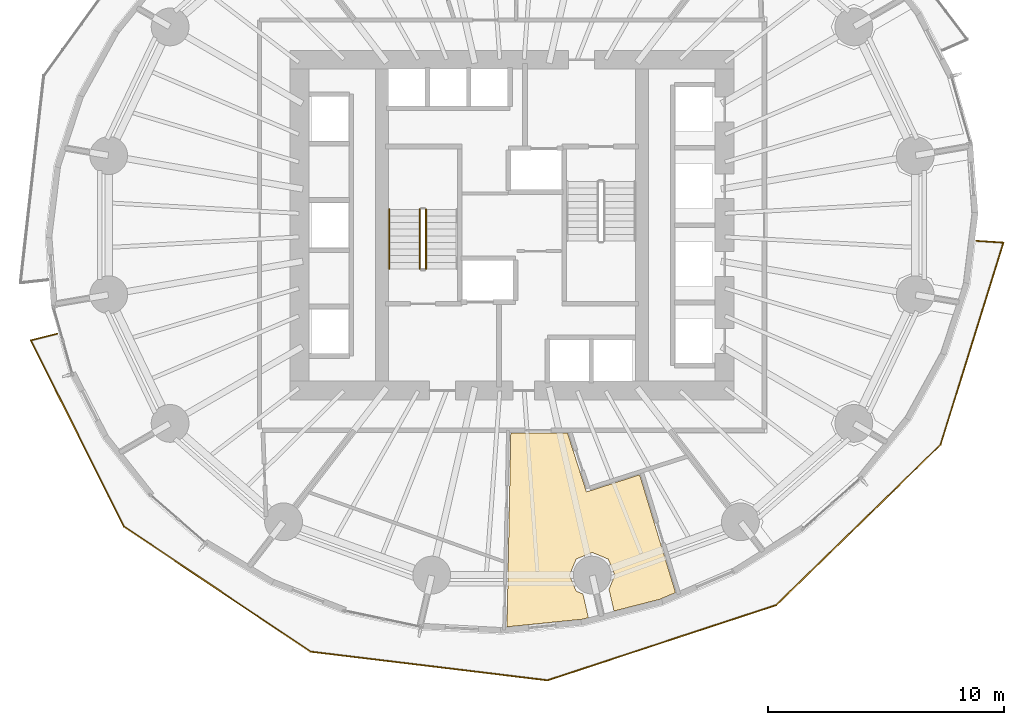
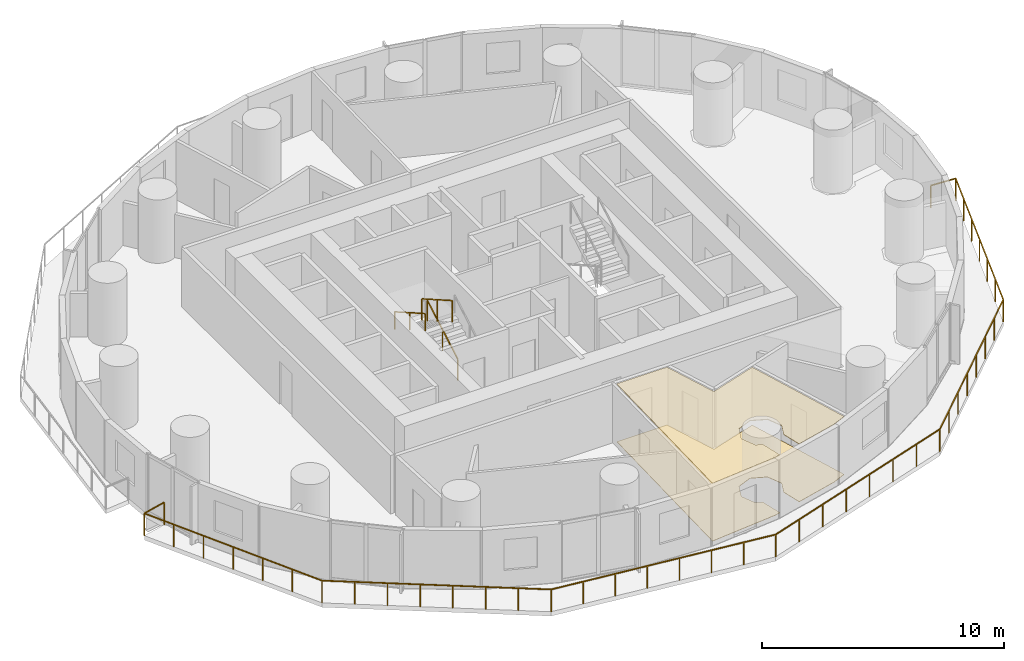
# One storey, part 11 of 13: 4 railings, 2 coverings.
"""IFC4 building model written with IfcOpenShell, lengths in metres."""

from ifc_helpers import new_model, si_unit, direction, frame, origin, origin_2d, place, context, subcontext, project, spatial, polyline, rectangle, outline, extrude, material, layer, layer_set, type_object, element, save


model = new_model("IFC4")

# Units and contexts
model_context = context("Model", 3, precision=1e-05, world=origin(), true_north=direction((0.0, 1.0)))
body_context = subcontext(model_context, "Body", "Model", "MODEL_VIEW")
ifc_project = project(units=[si_unit("LENGTHUNIT", "METRE"), si_unit("AREAUNIT", "SQUARE_METRE"), si_unit("VOLUMEUNIT", "CUBIC_METRE"), si_unit("PLANEANGLEUNIT", "RADIAN"), si_unit("MASSUNIT", "GRAM", prefix="KILO")], contexts=[model_context])

# Site, building, storey
site_placement = place(None, origin())
site = spatial("IfcSite", under=ifc_project, at=site_placement, CompositionType="ELEMENT")
building_placement = place(site_placement, origin())
building = spatial("IfcBuilding", under=site, at=building_placement, Name="Veldorim Arch Residences", CompositionType="ELEMENT")
storey_placement = place(building_placement, frame((0.0, 0.0, 44.0)))
storey = spatial("IfcBuildingStorey", under=building, at=storey_placement, Name="L12", CompositionType="ELEMENT", Elevation=44.0)

# Railings
ifc_material_1 = material(Name="Aluminium", Category="aluminium")
railing_type_1 = type_object("IfcRailingType", Name="Balcony & Terrace Laminated Glass Balustrade 1150", PredefinedType="BALUSTRADE", material=ifc_material_1)
railing_1_placement = place(storey_placement, frame((12.75244140625, 19.40283203125, 0.0)))
element("IfcRailing", 1, at=railing_1_placement, inside=storey, type_object=railing_type_1, Name="L12 crescent balcony safety balustrade B", PredefinedType="BALUSTRADE", context=body_context, shape_type="SweptSolid", body=[
    extrude(rectangle(XDim=0.048095703125, YDim=0.048095703125, at=origin_2d()), frame((0.0, 0.0, 1.1259765625), z_axis=(-0.970590389113, -0.240736986276, 0.0), x_axis=(0.240736986276, -0.970590389113, 0.0)), (0.0, 0.0, 1.0), 1.150146484375),
    extrude(rectangle(XDim=0.048095703125, YDim=0.048095703125, at=origin_2d()), frame((-1.1162109375, -0.27685546875, 1.1259765625), z_axis=(0.447446279024, -0.8943108114, 0.0), x_axis=(0.8943108114, 0.447446279024, 0.0)), (0.0, 0.0, 1.0), 8.81298828125),
    extrude(rectangle(XDim=0.048095703125, YDim=0.048095703125, at=origin_2d()), frame((2.8271484375, -8.158447265625, 1.1259765625), z_axis=(0.830513368113, -0.556998694241, 0.0), x_axis=(0.556998694241, 0.830513368113, 0.0)), (0.0, 0.0, 1.0), 9.501708984375),
    extrude(rectangle(XDim=0.048095703125, YDim=0.048095703125, at=origin_2d()), frame((10.718505859375, -13.450927734375, 1.1259765625), z_axis=(0.992755717696, -0.120150260017, 0.0), x_axis=(0.120150260017, 0.992755717696, 0.0)), (0.0, 0.0, 1.0), 10.10498046875),
    extrude(rectangle(XDim=0.048095703125, YDim=0.048095703125, at=origin_2d()), frame((20.750244140625, -14.6650390625, 1.1259765625), z_axis=(0.949913820233, 0.31251197438, 0.0), x_axis=(-0.31251197438, 0.949913820233, 0.0)), (0.0, 0.0, 1.0), 10.197265625),
    extrude(rectangle(XDim=0.048095703125, YDim=0.048095703125, at=origin_2d()), frame((30.436767578125, -11.478271484375, 1.1259765625), z_axis=(0.715419152021, 0.69869552519, 0.0), x_axis=(-0.69869552519, 0.715419152021, 0.0)), (0.0, 0.0, 1.0), 9.7080078125),
    extrude(rectangle(XDim=0.048095703125, YDim=0.048095703125, at=origin_2d()), frame((37.382080078125, -4.6953125, 1.1259765625), z_axis=(0.297329905313, 0.954774804552, 0.0), x_axis=(-0.954774804552, 0.297329905313, 0.0)), (0.0, 0.0, 1.0), 8.959228515625),
    extrude(rectangle(XDim=0.048095703125, YDim=0.048095703125, at=origin_2d()), frame((40.0458984375, 3.858642578125, 1.1259765625), z_axis=(-0.997929266712, 0.064320903598, 0.0), x_axis=(-0.064320903598, -0.997929266712, 0.0)), (0.0, 0.0, 1.0), 1.150146484375),
    extrude(rectangle(XDim=0.0419921875, YDim=0.0419921875, at=origin_2d()), origin(), (0.0, 0.0, 1.0), 1.101806640625),
    extrude(rectangle(XDim=0.0419921875, YDim=0.0419921875, at=origin_2d()), frame((-1.1162109375, -0.27685546875, 0.0)), (0.0, 0.0, 1.0), 1.101806640625),
    extrude(rectangle(XDim=0.0419921875, YDim=0.0419921875, at=origin_2d()), frame((-0.458984375, -1.59033203125, 0.0)), (0.0, 0.0, 1.0), 1.101806640625),
    extrude(rectangle(XDim=0.0419921875, YDim=0.0419921875, at=origin_2d()), frame((0.1982421875, -2.904052734375, 0.0)), (0.0, 0.0, 1.0), 1.101806640625),
    extrude(rectangle(XDim=0.0419921875, YDim=0.0419921875, at=origin_2d()), frame((0.85546875, -4.2177734375, 0.0)), (0.0, 0.0, 1.0), 1.101806640625),
    extrude(rectangle(XDim=0.0419921875, YDim=0.0419921875, at=origin_2d()), frame((1.5126953125, -5.53125, 0.0)), (0.0, 0.0, 1.0), 1.101806640625),
    extrude(rectangle(XDim=0.0419921875, YDim=0.0419921875, at=origin_2d()), frame((2.169921875, -6.8447265625, 0.0)), (0.0, 0.0, 1.0), 1.101806640625),
    extrude(rectangle(XDim=0.0419921875, YDim=0.0419921875, at=origin_2d()), frame((2.8271484375, -8.158447265625, 0.0)), (0.0, 0.0, 1.0), 1.101806640625),
    extrude(rectangle(XDim=0.0419921875, YDim=0.0419921875, at=origin_2d()), frame((3.95458984375, -8.91455078125, 0.0)), (0.0, 0.0, 1.0), 1.101806640625),
    extrude(rectangle(XDim=0.0419921875, YDim=0.0419921875, at=origin_2d()), frame((5.081787109375, -9.670654296875, 0.0)), (0.0, 0.0, 1.0), 1.101806640625),
    extrude(rectangle(XDim=0.0419921875, YDim=0.0419921875, at=origin_2d()), frame((6.209228515625, -10.4267578125, 0.0)), (0.0, 0.0, 1.0), 1.101806640625),
    extrude(rectangle(XDim=0.0419921875, YDim=0.0419921875, at=origin_2d()), frame((7.33642578125, -11.1826171875, 0.0)), (0.0, 0.0, 1.0), 1.101806640625),
    extrude(rectangle(XDim=0.0419921875, YDim=0.0419921875, at=origin_2d()), frame((8.4638671875, -11.938720703125, 0.0)), (0.0, 0.0, 1.0), 1.101806640625),
    extrude(rectangle(XDim=0.0419921875, YDim=0.0419921875, at=origin_2d()), frame((9.591064453125, -12.69482421875, 0.0)), (0.0, 0.0, 1.0), 1.101806640625),
    extrude(rectangle(XDim=0.0419921875, YDim=0.0419921875, at=origin_2d()), frame((10.718505859375, -13.450927734375, 0.0)), (0.0, 0.0, 1.0), 1.101806640625),
    extrude(rectangle(XDim=0.0419921875, YDim=0.0419921875, at=origin_2d()), frame((12.151611328125, -13.624267578125, 0.0)), (0.0, 0.0, 1.0), 1.101806640625),
    extrude(rectangle(XDim=0.0419921875, YDim=0.0419921875, at=origin_2d()), frame((13.584716796875, -13.7978515625, 0.0)), (0.0, 0.0, 1.0), 1.101806640625),
    extrude(rectangle(XDim=0.0419921875, YDim=0.0419921875, at=origin_2d()), frame((15.017822265625, -13.97119140625, 0.0)), (0.0, 0.0, 1.0), 1.101806640625),
    extrude(rectangle(XDim=0.0419921875, YDim=0.0419921875, at=origin_2d()), frame((16.450927734375, -14.144775390625, 0.0)), (0.0, 0.0, 1.0), 1.101806640625),
    extrude(rectangle(XDim=0.0419921875, YDim=0.0419921875, at=origin_2d()), frame((17.884033203125, -14.318115234375, 0.0)), (0.0, 0.0, 1.0), 1.101806640625),
    extrude(rectangle(XDim=0.0419921875, YDim=0.0419921875, at=origin_2d()), frame((19.317138671875, -14.49169921875, 0.0)), (0.0, 0.0, 1.0), 1.101806640625),
    extrude(rectangle(XDim=0.0419921875, YDim=0.0419921875, at=origin_2d()), frame((20.750244140625, -14.6650390625, 0.0)), (0.0, 0.0, 1.0), 1.101806640625),
    extrude(rectangle(XDim=0.0419921875, YDim=0.0419921875, at=origin_2d()), frame((22.134033203125, -14.209716796875, 0.0)), (0.0, 0.0, 1.0), 1.101806640625),
    extrude(rectangle(XDim=0.0419921875, YDim=0.0419921875, at=origin_2d()), frame((23.517822265625, -13.754638671875, 0.0)), (0.0, 0.0, 1.0), 1.101806640625),
    extrude(rectangle(XDim=0.0419921875, YDim=0.0419921875, at=origin_2d()), frame((24.901611328125, -13.29931640625, 0.0)), (0.0, 0.0, 1.0), 1.101806640625),
    extrude(rectangle(XDim=0.0419921875, YDim=0.0419921875, at=origin_2d()), frame((26.285400390625, -12.843994140625, 0.0)), (0.0, 0.0, 1.0), 1.101806640625),
    extrude(rectangle(XDim=0.0419921875, YDim=0.0419921875, at=origin_2d()), frame((27.669189453125, -12.388671875, 0.0)), (0.0, 0.0, 1.0), 1.101806640625),
    extrude(rectangle(XDim=0.0419921875, YDim=0.0419921875, at=origin_2d()), frame((29.052978515625, -11.93359375, 0.0)), (0.0, 0.0, 1.0), 1.101806640625),
    extrude(rectangle(XDim=0.0419921875, YDim=0.0419921875, at=origin_2d()), frame((30.436767578125, -11.478271484375, 0.0)), (0.0, 0.0, 1.0), 1.101806640625),
    extrude(rectangle(XDim=0.0419921875, YDim=0.0419921875, at=origin_2d()), frame((31.428955078125, -10.50927734375, 0.0)), (0.0, 0.0, 1.0), 1.101806640625),
    extrude(rectangle(XDim=0.0419921875, YDim=0.0419921875, at=origin_2d()), frame((32.421142578125, -9.540283203125, 0.0)), (0.0, 0.0, 1.0), 1.101806640625),
    extrude(rectangle(XDim=0.0419921875, YDim=0.0419921875, at=origin_2d()), frame((33.413330078125, -8.5712890625, 0.0)), (0.0, 0.0, 1.0), 1.101806640625),
    extrude(rectangle(XDim=0.0419921875, YDim=0.0419921875, at=origin_2d()), frame((34.405517578125, -7.602294921875, 0.0)), (0.0, 0.0, 1.0), 1.101806640625),
    extrude(rectangle(XDim=0.0419921875, YDim=0.0419921875, at=origin_2d()), frame((35.397705078125, -6.63330078125, 0.0)), (0.0, 0.0, 1.0), 1.101806640625),
    extrude(rectangle(XDim=0.0419921875, YDim=0.0419921875, at=origin_2d()), frame((36.389892578125, -5.664306640625, 0.0)), (0.0, 0.0, 1.0), 1.101806640625),
    extrude(rectangle(XDim=0.0419921875, YDim=0.0419921875, at=origin_2d()), frame((37.382080078125, -4.6953125, 0.0)), (0.0, 0.0, 1.0), 1.101806640625),
    extrude(rectangle(XDim=0.0419921875, YDim=0.0419921875, at=origin_2d()), frame((37.826171875, -3.26953125, 0.0)), (0.0, 0.0, 1.0), 1.101806640625),
    extrude(rectangle(XDim=0.0419921875, YDim=0.0419921875, at=origin_2d()), frame((38.27001953125, -1.843994140625, 0.0)), (0.0, 0.0, 1.0), 1.101806640625),
    extrude(rectangle(XDim=0.0419921875, YDim=0.0419921875, at=origin_2d()), frame((38.7138671875, -0.41845703125, 0.0)), (0.0, 0.0, 1.0), 1.101806640625),
    extrude(rectangle(XDim=0.0419921875, YDim=0.0419921875, at=origin_2d()), frame((39.157958984375, 1.00732421875, 0.0)), (0.0, 0.0, 1.0), 1.101806640625),
    extrude(rectangle(XDim=0.0419921875, YDim=0.0419921875, at=origin_2d()), frame((39.60205078125, 2.43310546875, 0.0)), (0.0, 0.0, 1.0), 1.101806640625),
    extrude(rectangle(XDim=0.0419921875, YDim=0.0419921875, at=origin_2d()), frame((40.0458984375, 3.858642578125, 0.0)), (0.0, 0.0, 1.0), 1.101806640625),
    extrude(rectangle(XDim=0.0419921875, YDim=0.0419921875, at=origin_2d()), frame((38.898193359375, 3.9326171875, 0.0)), (0.0, 0.0, 1.0), 1.101806640625),
])
ifc_material_2 = material(Name="Steel S355", Category="steel")
railing_type_2 = type_object("IfcRailingType", Name="Galvanised Steel Stair Safety Guardrail 1100", PredefinedType="GUARDRAIL", material=ifc_material_2)
railing_2_placement = place(storey_placement, frame((28.360107421875, 22.14990234375, 0.159912109375)))
element("IfcRailing", 2, at=railing_2_placement, inside=storey, type_object=railing_type_2, Name="L12 ST-1 stair guard 1", PredefinedType="GUARDRAIL", context=body_context, shape_type="SweptSolid", body=[
    extrude(rectangle(XDim=0.048095703125, YDim=0.048095703125, at=origin_2d()), frame((0.0, 0.0, 1.076171875), z_axis=(0.0, 0.868217259934, 0.496184229447), x_axis=(-1.0, 0.0, 0.0)), (0.0, 0.0, 1.0), 2.902587890625),
    extrude(rectangle(XDim=0.0419921875, YDim=0.0419921875, at=origin_2d()), origin(), (0.0, 0.0, 1.0), 1.052001953125),
    extrude(rectangle(XDim=0.0419921875, YDim=0.0419921875, at=origin_2d()), frame((0.0, 1.260009765625, 0.72021484375)), (0.0, 0.0, 1.0), 1.052001953125),
    extrude(rectangle(XDim=0.0419921875, YDim=0.0419921875, at=origin_2d()), frame((0.0, 2.52001953125, 1.440185546875)), (0.0, 0.0, 1.0), 1.052001953125),
])
railing_3_placement = place(storey_placement, frame((28.10009765625, 24.669921875, 1.760009765625)))
element("IfcRailing", 3, at=railing_3_placement, inside=storey, type_object=railing_type_2, Name="L12 ST-1 stair guard 3", PredefinedType="GUARDRAIL", context=body_context, shape_type="SweptSolid", body=[
    extrude(rectangle(XDim=0.048095703125, YDim=0.048095703125, at=origin_2d()), frame((0.0, 0.0, 1.076171875), z_axis=(0.0, -0.868253494771, 0.496120820787), x_axis=(1.0, 0.0, 0.0)), (0.0, 0.0, 1.0), 2.90234375),
    extrude(rectangle(XDim=0.0419921875, YDim=0.0419921875, at=origin_2d()), origin(), (0.0, 0.0, 1.0), 1.052001953125),
    extrude(rectangle(XDim=0.0419921875, YDim=0.0419921875, at=origin_2d()), frame((0.0, -1.260009765625, 0.719970703125)), (0.0, 0.0, 1.0), 1.052001953125),
    extrude(rectangle(XDim=0.0419921875, YDim=0.0419921875, at=origin_2d()), frame((0.0, -2.52001953125, 1.43994140625)), (0.0, 0.0, 1.0), 1.052001953125),
])

# Coverings
ifc_material_3 = material(Name="Acoustic Gypsum & Mineral Fibre", Category="gypsum")
ifc_layer_1 = layer(ifc_material_3, 0.034912109375, Name="Perforated Acoustic Mineral-Fibre Ceiling 35")
ifc_layer_set_1 = layer_set([ifc_layer_1], Name="Acoustic Gypsum & Mineral Fibre")
covering_type_1 = type_object("IfcCoveringType", Name="Perforated Acoustic Mineral-Fibre Ceiling 35", PredefinedType="CEILING", material=ifc_layer_set_1)
covering_1_placement = place(storey_placement, frame((0.0, 0.0, 2.905029296875)))
element("IfcCovering", 4, at=covering_1_placement, inside=storey, type_object=covering_type_1, Name="L12 acoustic suspended ceiling 01", PredefinedType="CEILING", context=body_context, shape_type="SweptSolid", body=[
    extrude(outline(polyline([(36.3544921875, 9.190185546875), (36.0732421875, 9.868896484375), (35.39453125, 10.14990234375), (34.7158203125, 9.868896484375), (34.434814453125, 9.190185546875), (34.7158203125, 8.511474609375), (35.0029296875, 8.392578125), (35.232421875, 7.39111328125), (34.96484375, 7.322265625), (31.789794921875, 7.00341796875), (31.948974609375, 15.199951171875), (34.348388671875, 15.199951171875), (35.15087890625, 12.708984375), (37.4013671875, 13.434326171875), (38.919189453125, 8.451171875), (38.265625, 8.17138671875), (36.3173828125, 7.670166015625), (36.1064453125, 8.59130859375), (36.3544921875, 9.190185546875)])), origin(), (0.0, 0.0, 1.0), 0.034912109375),
])
ifc_material_4 = material(Name="Porcelain Ceramic Tile", Category="ceramic")
ifc_layer_2 = layer(ifc_material_4, 0.02001953125, Name="Slip-Resistant Porcelain & Vinyl Floor Finish 20")
ifc_layer_set_2 = layer_set([ifc_layer_2], Name="Porcelain Ceramic Tile")
covering_type_2 = type_object("IfcCoveringType", Name="Slip-Resistant Porcelain & Vinyl Floor Finish 20", PredefinedType="FLOORING", material=ifc_layer_set_2)
covering_2_placement = place(storey_placement, origin())
element("IfcCovering", 5, at=covering_2_placement, inside=storey, type_object=covering_type_2, Name="L12 porcelain floor finish 01", PredefinedType="FLOORING", context=body_context, shape_type="SweptSolid", body=[
    extrude(outline(polyline([(36.3544921875, 9.190185546875), (36.0732421875, 9.868896484375), (35.39453125, 10.14990234375), (34.7158203125, 9.868896484375), (34.434814453125, 9.190185546875), (34.7158203125, 8.511474609375), (35.0029296875, 8.392578125), (35.232421875, 7.39111328125), (34.96484375, 7.322265625), (31.789794921875, 7.00341796875), (31.948974609375, 15.199951171875), (34.348388671875, 15.199951171875), (35.15087890625, 12.708984375), (37.4013671875, 13.434326171875), (38.919189453125, 8.451171875), (38.265625, 8.17138671875), (36.3173828125, 7.670166015625), (36.1064453125, 8.59130859375), (36.3544921875, 9.190185546875)])), origin(), (0.0, 0.0, 1.0), 0.02001953125),
])

# Railing
ifc_material_5 = material(Name="Stainless Steel", Category="steel")
railing_type_3 = type_object("IfcRailingType", Name="Tubular Steel Continuous Wall Handrail 900", PredefinedType="HANDRAIL", material=ifc_material_5)
railing_4_placement = place(storey_placement, frame((26.800048828125, 24.669921875, 1.760009765625)))
element("IfcRailing", 6, at=railing_4_placement, inside=storey, type_object=railing_type_3, Name="L12 ST-1 stair handrail 2", PredefinedType="HANDRAIL", context=body_context, shape_type="SweptSolid", body=[
    extrude(rectangle(XDim=0.048095703125, YDim=0.048095703125, at=origin_2d()), frame((0.0, 0.0, 0.8759765625), z_axis=(0.0, -0.868253494771, 0.496120820787), x_axis=(1.0, 0.0, 0.0)), (0.0, 0.0, 1.0), 2.90234375),
    extrude(rectangle(XDim=0.0419921875, YDim=0.0419921875, at=origin_2d()), origin(), (0.0, 0.0, 1.0), 0.851806640625),
    extrude(rectangle(XDim=0.0419921875, YDim=0.0419921875, at=origin_2d()), frame((0.0, -1.260009765625, 0.719970703125)), (0.0, 0.0, 1.0), 0.851806640625),
    extrude(rectangle(XDim=0.0419921875, YDim=0.0419921875, at=origin_2d()), frame((0.0, -2.52001953125, 1.43994140625)), (0.0, 0.0, 1.0), 0.851806640625),
])

save(model, "model.ifc")
